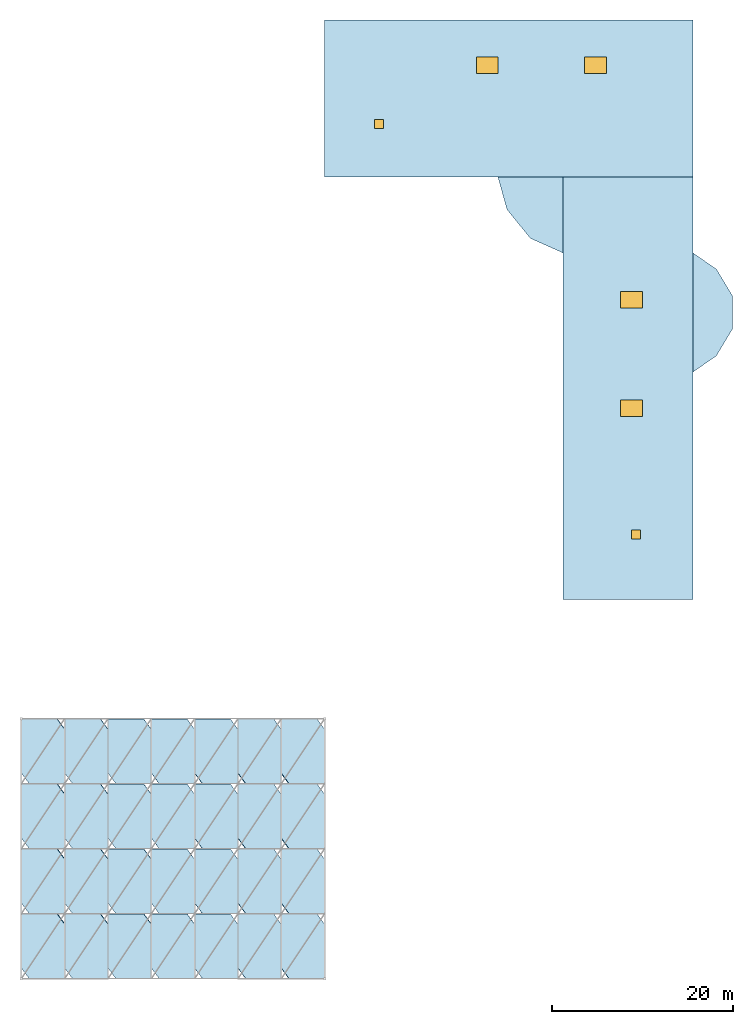
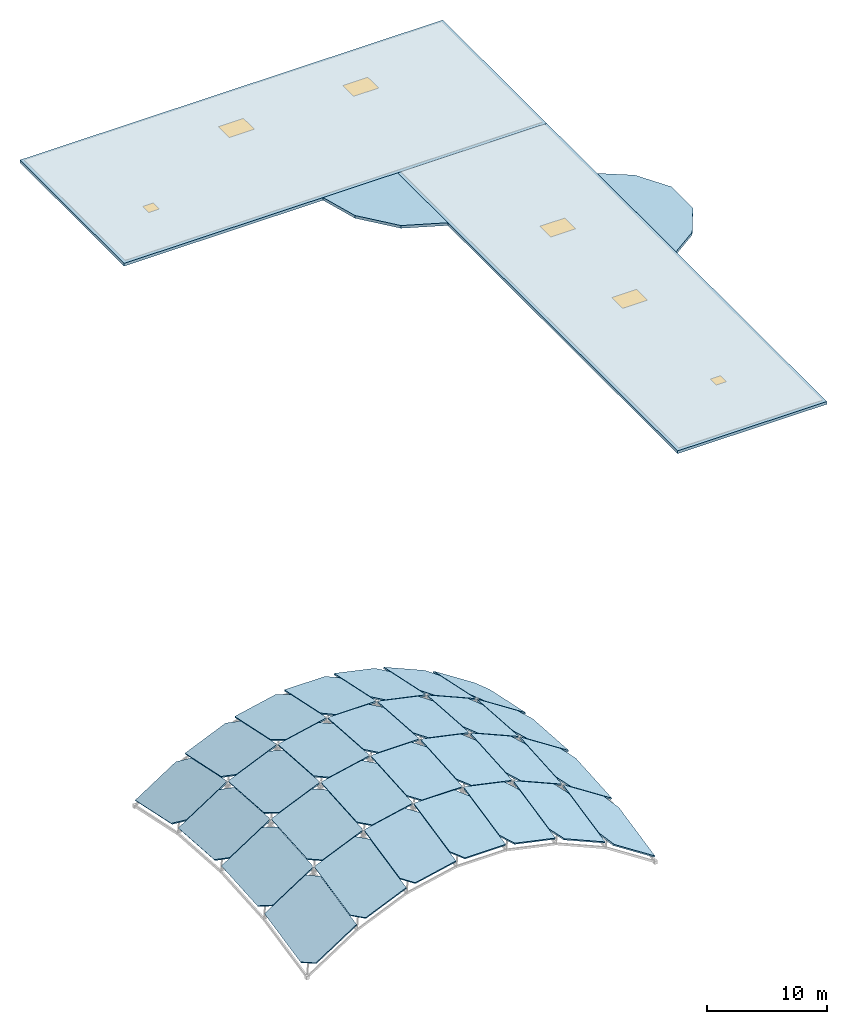
"""IFC4 building model written with IfcOpenShell, lengths in metres."""

from ifc_helpers import new_model, si_unit, direction, frame, origin, origin_2d, place, context, subcontext, project, spatial, polyline, rectangle, outline, extrude, material, layer, layer_set, type_object, element, fill, save


model = new_model("IFC4")

# Units and contexts
model_context = context("Model", 3, precision=1e-05, world=origin(), true_north=direction((0.0, 1.0)))
body_context = subcontext(model_context, "Body", "Model", "MODEL_VIEW")
ifc_project = project(units=[si_unit("LENGTHUNIT", "METRE"), si_unit("AREAUNIT", "SQUARE_METRE"), si_unit("VOLUMEUNIT", "CUBIC_METRE"), si_unit("PLANEANGLEUNIT", "RADIAN"), si_unit("MASSUNIT", "GRAM", prefix="KILO")], contexts=[model_context])

# Site, building, storey
site_placement = place(None, origin())
site = spatial("IfcSite", under=ifc_project, at=site_placement, CompositionType="ELEMENT")
building_placement = place(site_placement, origin())
building = spatial("IfcBuilding", under=site, at=building_placement, Name="Kahlenmark Community Centre", CompositionType="ELEMENT")
storey_1_placement = place(building_placement, frame((0.0, 0.0, 25.199951171875)))
storey_1 = spatial("IfcBuildingStorey", under=building, at=storey_1_placement, Name="RF", CompositionType="ELEMENT", Elevation=25.199951171875)

# Slabs
ifc_material_1 = material(Name="Cross-laminated timber CLT C24", Category="wood")
ifc_layer_1 = layer(ifc_material_1, 0.280029296875)
ifc_layer_set_1 = layer_set([ifc_layer_1], Name="Cross-laminated timber CLT C24")
slab_type_1 = type_object("IfcSlabType", Name="ST-RF-FLAT280", PredefinedType="ROOF", material=ifc_layer_set_1)
slab_1_placement = place(storey_1_placement, frame((0.0, 0.0, -0.280029296875)))
element("IfcSlab", 1, at=slab_1_placement, inside=storey_1, type_object=slab_type_1, Name="Flat roof deck ROT-EAST", PredefinedType="ROOF", context=body_context, shape_type="SweptSolid", body=[
    extrude(outline(polyline([(86.800048828125, 76.0), (89.39990234375, 77.800048828125), (91.199951171875, 80.800048828125), (91.199951171875, 84.39990234375), (89.39990234375, 87.39990234375), (86.800048828125, 89.199951171875), (86.800048828125, 76.0)])), origin(), (0.0, 0.0, 1.0), 0.280029296875),
])
slab_2_placement = place(storey_1_placement, frame((0.0, 0.0, -0.280029296875)))
element("IfcSlab", 2, at=slab_2_placement, inside=storey_1, type_object=slab_type_1, Name="Flat roof deck ROT-COURT", PredefinedType="ROOF", context=body_context, shape_type="SweptSolid", body=[
    extrude(outline(polyline([(65.199951171875, 97.60009765625), (66.199951171875, 94.0), (68.800048828125, 90.800048828125), (72.39990234375, 89.199951171875), (72.39990234375, 97.60009765625), (65.199951171875, 97.60009765625)])), origin(), (0.0, 0.0, 1.0), 0.280029296875),
])

# Slab, openings
slab_3_placement = place(storey_1_placement, frame((0.0, 0.0, -0.280029296875)))
slab_3 = element("IfcSlab", 3, at=slab_3_placement, inside=storey_1, type_object=slab_type_1, Name="Flat insulated roof deck RF-TOP-V4N", PredefinedType="ROOF", context=body_context, shape_type="SweptSolid", body=[
    extrude(outline(polyline([(46.0, 97.60009765625), (86.800048828125, 97.60009765625), (86.800048828125, 115.0), (46.0, 115.0), (46.0, 97.60009765625)])), origin(), (0.0, 0.0, 1.0), 0.280029296875),
])
opening_1_placement = place(slab_3_placement, frame((52.0, 103.5, -0.010009765625)))
opening_1 = element("IfcOpeningElement", 4, at=opening_1_placement, cuts=slab_3, Name="Opening RH-100", PredefinedType="OPENING", context=body_context, shape_type="SweptSolid", body=[
    extrude(rectangle(XDim=1.0, YDim=1.0, at=origin_2d()), origin(), (0.0, 0.0, 1.0), 0.300048828125),
])
opening_2_placement = place(slab_3_placement, frame((64.0, 110.0, -0.010009765625)))
opening_2 = element("IfcOpeningElement", 5, at=opening_2_placement, cuts=slab_3, Name="Opening SK-RF1", PredefinedType="OPENING", context=body_context, shape_type="SweptSolid", body=[
    extrude(rectangle(XDim=2.39990234375, YDim=1.800048828125, at=origin_2d()), origin(), (0.0, 0.0, 1.0), 0.300048828125),
])
opening_3_placement = place(slab_3_placement, frame((76.0, 110.0, -0.010009765625)))
opening_3 = element("IfcOpeningElement", 6, at=opening_3_placement, cuts=slab_3, Name="Opening SK-RF1", PredefinedType="OPENING", context=body_context, shape_type="SweptSolid", body=[
    extrude(rectangle(XDim=2.39990234375, YDim=1.800048828125, at=origin_2d()), origin(), (0.0, 0.0, 1.0), 0.300048828125),
])

# Storey
storey_2_placement = place(building_placement, frame((0.0, 0.0, 21.60009765625)))
storey_2 = spatial("IfcBuildingStorey", under=building, at=storey_2_placement, Name="L05", CompositionType="ELEMENT", Elevation=21.60009765625)

# Door
ifc_material_2 = material(Name="Insulated aluminium roof maintenance hatch", Category="aluminium")
door_type = type_object("IfcDoorType", Name="DT-HATCH-100X100", OperationType="NOTDEFINED", PredefinedType="TRAPDOOR", material=ifc_material_2)
door_1_placement = place(slab_3_placement, frame((52.0, 103.5, 0.22998046875)))
door_1 = element("IfcDoor", 7, at=door_1_placement, inside=storey_2, type_object=door_type, Name="Roof maintenance hatch RH-07", OperationType="SINGLE_SWING_LEFT", OverallHeight=1.0, OverallWidth=1.0, PredefinedType="TRAPDOOR", context=body_context, shape_type="SweptSolid", body=[
    extrude(rectangle(XDim=1.0, YDim=1.0, at=origin_2d()), origin(), (0.0, 0.0, 1.0), 0.050048828125),
])

fill(opening_1, door_1)

# Window
ifc_material_3 = material(Name="Laminated safety roof-light triple glazing", Category="glass")
window_type = type_object("IfcWindowType", Name="WNT-SK-ROOF", PartitioningType="DOUBLE_PANEL_VERTICAL", PredefinedType="SKYLIGHT", material=ifc_material_3)
window_1_placement = place(slab_3_placement, frame((64.0, 110.0, 0.22998046875)))
window_1 = element("IfcWindow", 8, at=window_1_placement, inside=storey_1, type_object=window_type, Name="Flat roof skylight SK-01", OverallHeight=1.800048828125, OverallWidth=2.39990234375, PartitioningType="DOUBLE_PANEL_VERTICAL", PredefinedType="SKYLIGHT", context=body_context, shape_type="SweptSolid", body=[
    extrude(rectangle(XDim=2.39990234375, YDim=1.800048828125, at=origin_2d()), origin(), (0.0, 0.0, 1.0), 0.050048828125),
])

fill(opening_2, window_1)

window_2_placement = place(slab_3_placement, frame((76.0, 110.0, 0.22998046875)))
window_2 = element("IfcWindow", 9, at=window_2_placement, inside=storey_1, type_object=window_type, Name="Flat roof skylight SK-02", OverallHeight=1.800048828125, OverallWidth=2.39990234375, PartitioningType="DOUBLE_PANEL_VERTICAL", PredefinedType="SKYLIGHT", context=body_context, shape_type="SweptSolid", body=[
    extrude(rectangle(XDim=2.39990234375, YDim=1.800048828125, at=origin_2d()), origin(), (0.0, 0.0, 1.0), 0.050048828125),
])

fill(opening_3, window_2)

# Slab, openings, door, windows
slab_4_placement = place(storey_1_placement, frame((0.0, 0.0, -0.280029296875)))
slab_4 = element("IfcSlab", 10, at=slab_4_placement, inside=storey_1, type_object=slab_type_1, Name="Flat insulated roof deck RF-TOP-V4C", PredefinedType="ROOF", context=body_context, shape_type="SweptSolid", body=[
    extrude(outline(polyline([(72.39990234375, 50.800048828125), (86.800048828125, 50.800048828125), (86.800048828125, 97.60009765625), (72.39990234375, 97.60009765625), (72.39990234375, 50.800048828125)])), origin(), (0.0, 0.0, 1.0), 0.280029296875),
])
opening_4_placement = place(slab_4_placement, frame((80.5, 58.0, -0.010009765625)))
opening_4 = element("IfcOpeningElement", 11, at=opening_4_placement, cuts=slab_4, Name="Opening RH-100", PredefinedType="OPENING", context=body_context, shape_type="SweptSolid", body=[
    extrude(rectangle(XDim=1.0, YDim=1.0, at=origin_2d()), origin(), (0.0, 0.0, 1.0), 0.300048828125),
])
opening_5_placement = place(slab_4_placement, frame((80.0, 72.0, -0.010009765625)))
opening_5 = element("IfcOpeningElement", 12, at=opening_5_placement, cuts=slab_4, Name="Opening SK-RF1", PredefinedType="OPENING", context=body_context, shape_type="SweptSolid", body=[
    extrude(rectangle(XDim=2.39990234375, YDim=1.800048828125, at=origin_2d()), origin(), (0.0, 0.0, 1.0), 0.300048828125),
])
opening_6_placement = place(slab_4_placement, frame((80.0, 84.0, -0.010009765625)))
opening_6 = element("IfcOpeningElement", 13, at=opening_6_placement, cuts=slab_4, Name="Opening SK-RF1", PredefinedType="OPENING", context=body_context, shape_type="SweptSolid", body=[
    extrude(rectangle(XDim=2.39990234375, YDim=1.800048828125, at=origin_2d()), origin(), (0.0, 0.0, 1.0), 0.300048828125),
])
door_2_placement = place(slab_4_placement, frame((80.5, 58.0, 0.22998046875)))
door_2 = element("IfcDoor", 14, at=door_2_placement, inside=storey_2, type_object=door_type, Name="Roof maintenance hatch RH-08", OperationType="SINGLE_SWING_LEFT", OverallHeight=1.0, OverallWidth=1.0, PredefinedType="TRAPDOOR", context=body_context, shape_type="SweptSolid", body=[
    extrude(rectangle(XDim=1.0, YDim=1.0, at=origin_2d()), origin(), (0.0, 0.0, 1.0), 0.050048828125),
])
fill(opening_4, door_2)
window_3_placement = place(slab_4_placement, frame((80.0, 72.0, 0.22998046875)))
window_3 = element("IfcWindow", 15, at=window_3_placement, inside=storey_1, type_object=window_type, Name="Flat roof skylight SK-03", OverallHeight=1.800048828125, OverallWidth=2.39990234375, PartitioningType="DOUBLE_PANEL_VERTICAL", PredefinedType="SKYLIGHT", context=body_context, shape_type="SweptSolid", body=[
    extrude(rectangle(XDim=2.39990234375, YDim=1.800048828125, at=origin_2d()), origin(), (0.0, 0.0, 1.0), 0.050048828125),
])
fill(opening_5, window_3)
window_4_placement = place(slab_4_placement, frame((80.0, 84.0, 0.22998046875)))
window_4 = element("IfcWindow", 16, at=window_4_placement, inside=storey_1, type_object=window_type, Name="Flat roof skylight SK-04", OverallHeight=1.800048828125, OverallWidth=2.39990234375, PartitioningType="DOUBLE_PANEL_VERTICAL", PredefinedType="SKYLIGHT", context=body_context, shape_type="SweptSolid", body=[
    extrude(rectangle(XDim=2.39990234375, YDim=1.800048828125, at=origin_2d()), origin(), (0.0, 0.0, 1.0), 0.050048828125),
])
fill(opening_6, window_4)

# Slabs
ifc_layer_2 = layer(ifc_material_1, 0.139892578125)
ifc_layer_set_2 = layer_set([ifc_layer_2], Name="Cross-laminated timber CLT C24")
slab_type_2 = type_object("IfcSlabType", Name="ST-RF-GRID140", PredefinedType="ROOF", material=ifc_layer_set_2)
slab_5_placement = place(storey_1_placement, frame((13.25, 8.820068359375, -6.08349609375), z_axis=(-0.536256870393, -0.175732947962, 0.825558295917), x_axis=(0.83860891033, -8.17567e-07, 0.544733967653)))
element("IfcSlab", 17, at=slab_5_placement, inside=storey_1, type_object=slab_type_2, Name="Main Hall gridshell roof panel 1.1", PredefinedType="ROOF", context=body_context, shape_type="SweptSolid", body=[
    extrude(outline(polyline([(0.0, 0.0), (4.6862368152726575, 1.1102230246251565e-16), (5.385502198287313, 6.125368957389673), (4.526946262654723, 7.2731031208715144), (-0.15962828281275443, 7.273090512320884), (-0.8587606741360878, 1.1477575343390296), (0.0, 0.0)])), origin(), (0.0, 0.0, -1.0), 0.139892578125),
])
slab_6_placement = place(storey_1_placement, frame((13.25, 16.02001953125, -4.5537109375), z_axis=(-0.543817248296, -0.058227630007, 0.837181189205), x_axis=(0.83860396598, 1.751648e-06, 0.544741579319)))
element("IfcSlab", 18, at=slab_6_placement, inside=storey_1, type_object=slab_type_2, Name="Main Hall gridshell roof panel 1.2", PredefinedType="ROOF", context=body_context, shape_type="SweptSolid", body=[
    extrude(outline(polyline([(0.0, 0.0), (4.6863698084288306, -1.3877787807814457e-17), (4.914863289194729, 6.040278850286845), (3.968004369781518, 7.172072175598632), (-0.7184371823940556, 7.1720918409908325), (-0.9469306631599537, 1.1318129907039867), (0.0, 0.0)])), origin(), (0.0, 0.0, -1.0), 0.139892578125),
])
slab_7_placement = place(storey_1_placement, frame((13.25, 23.219970703125, -4.0556640625), z_axis=(-0.543820346679, 0.058241023891, 0.837178244864), x_axis=(0.838601680709, -1.507308e-06, 0.544745097371)))
element("IfcSlab", 19, at=slab_7_placement, inside=storey_1, type_object=slab_type_2, Name="Main Hall gridshell roof panel 1.3", PredefinedType="ROOF", context=body_context, shape_type="SweptSolid", body=[
    extrude(outline(polyline([(0.0, 0.0), (4.686369808979881, 2.7755575615628914e-17), (4.457876326002655, 6.040278850021277), (3.4253656009060487, 7.172094291821564), (-1.2610759504037488, 7.172074621905809), (-1.032582467794517, 1.1320394980932473), (0.0, 0.0)])), origin(), (0.0, 0.0, -1.0), 0.139892578125),
])
slab_8_placement = place(storey_1_placement, frame((13.25, 30.419921875, -4.559326171875), z_axis=(-0.536269906864, 0.175739017704, 0.825548535611), x_axis=(0.838600196451, 3.673225e-06, 0.544747382278)))
element("IfcSlab", 20, at=slab_8_placement, inside=storey_1, type_object=slab_type_2, Name="Main Hall gridshell roof panel 1.4", PredefinedType="ROOF", context=body_context, shape_type="SweptSolid", body=[
    extrude(outline(polyline([(0.0, 0.0), (4.686236814299719, 1.1102230246251565e-16), (3.98710442571516, 6.125332977180815), (2.8664237120010627, 7.273353440069369), (-1.8201508336411192, 7.273366049055495), (-1.1208854500901841, 1.1479970912241415), (0.0, 0.0)])), origin(), (0.0, 0.0, -1.0), 0.139892578125),
])
slab_9_placement = place(storey_1_placement, frame((18.050048828125, 8.820068359375, -3.149658203125), z_axis=(-0.390018675958, -0.191732594801, 0.900624252669), x_axis=(0.917649109602, 1.322969e-06, 0.397391635098)))
element("IfcSlab", 21, at=slab_9_placement, inside=storey_1, type_object=slab_type_2, Name="Main Hall gridshell roof panel 2.1", PredefinedType="ROOF", context=body_context, shape_type="SweptSolid", body=[
    extrude(outline(polyline([(0.0, 0.0), (4.28262080212968, 0.0), (4.7927570065644005, 6.144011555954514), (3.9837895807256003, 7.295259982942225), (-0.2988312214040796, 7.295259982942225), (-0.8089674258387999, 1.151248426987711), (0.0, 0.0)])), origin(), (0.0, 0.0, -1.0), 0.139892578125),
])
slab_10_placement = place(storey_1_placement, frame((18.050048828125, 16.02001953125, -1.619873046875), z_axis=(-0.39661390323, -0.063717580926, 0.915771522622), x_axis=(0.917636143681, 1.689214e-06, 0.397421574412)))
element("IfcSlab", 22, at=slab_10_placement, inside=storey_1, type_object=slab_type_2, Name="Main Hall gridshell roof panel 2.2", PredefinedType="ROOF", context=body_context, shape_type="SweptSolid", body=[
    extrude(outline(polyline([(0.0, 0.0), (4.28271782754574, -2.7755575615628914e-17), (4.449419972743289, 6.042299913330377), (3.5761314274779417, 7.174492083467199), (-0.7065864000677987, 7.174492083467199), (-0.8732885452653473, 1.1321921701368216), (0.0, 0.0)])), origin(), (0.0, 0.0, -1.0), 0.139892578125),
])
slab_11_placement = place(storey_1_placement, frame((18.050048828125, 23.219970703125, -1.12158203125), z_axis=(-0.396574889026, 0.063707662539, 0.915789108435), x_axis=(0.917653282654, 2.236888e-06, 0.397381998622)))
element("IfcSlab", 23, at=slab_11_placement, inside=storey_1, type_object=slab_type_2, Name="Main Hall gridshell roof panel 2.3", PredefinedType="ROOF", context=body_context, shape_type="SweptSolid", body=[
    extrude(outline(polyline([(0.0, 0.0), (4.282523784492513, 0.0), (4.11586191321665, 6.042301025209761), (3.180091865795592, 7.174481669880268), (-1.1025289357864276, 7.174495942935139), (-0.9358670639644493, 1.1324385624039863), (0.0, 0.0)])), origin(), (0.0, 0.0, -1.0), 0.139892578125),
])
slab_12_placement = place(storey_1_placement, frame((18.050048828125, 30.419921875, -1.62548828125), z_axis=(-0.390018685811, 0.19170414834, 0.900630303858), x_axis=(0.917650043982, -1.782036e-06, 0.397389477435)))
element("IfcSlab", 24, at=slab_12_placement, inside=storey_1, type_object=slab_type_2, Name="Main Hall gridshell roof panel 2.4", PredefinedType="ROOF", context=body_context, shape_type="SweptSolid", body=[
    extrude(outline(polyline([(0.0, 0.0), (4.282620802046597, 0.0), (3.772581618113314, 6.143968605937497), (2.7723858822438725, 7.295464288018079), (-1.5102349198027245, 7.295464288018079), (-1.000098716954052, 1.151452733685775), (0.0, 0.0)])), origin(), (0.0, 0.0, -1.0), 0.139892578125),
])
slab_13_placement = place(storey_1_placement, frame((22.85009765625, 8.820068359375, -1.255126953125), z_axis=(-0.20716947234, -0.203712793537, 0.956860443053), x_axis=(0.977354457641, 1.0000124e-05, 0.21160875225)))
element("IfcSlab", 25, at=slab_13_placement, inside=storey_1, type_object=slab_type_2, Name="Main Hall gridshell roof panel 3.1", PredefinedType="ROOF", context=body_context, shape_type="SweptSolid", body=[
    extrude(outline(polyline([(0.0, 0.0), (4.021030960692013, 2.7755575615628914e-17), (4.292731598482931, 6.159163555595915), (3.4943262527562755, 7.313247310689299), (-0.5266530456427074, 7.313295918485959), (-0.798353683433625, 1.154132362890044), (0.0, 0.0)])), origin(), (0.0, 0.0, -1.0), 0.139892578125),
])
slab_14_placement = place(storey_1_placement, frame((22.85009765625, 16.02001953125, 0.27490234375), z_axis=(-0.211102600831, -0.0678313159, 0.975107483566), x_axis=(0.977358524127, 5.39583e-07, 0.211589969789)))
element("IfcSlab", 26, at=slab_14_placement, inside=storey_1, type_object=slab_type_2, Name="Main Hall gridshell roof panel 3.2", PredefinedType="ROOF", context=body_context, shape_type="SweptSolid", body=[
    extrude(outline(polyline([(0.0, 0.0), (4.0209792987286805, 0.0), (4.109730493860299, 6.043947475373727), (3.277060881473746, 7.17644126205305), (-0.7439184172549347, 7.17644126205305), (-0.8326696123865528, 1.132493786679323), (0.0, 0.0)])), origin(), (0.0, 0.0, -1.0), 0.139892578125),
])
slab_15_placement = place(storey_1_placement, frame((22.85009765625, 23.219970703125, 0.77294921875), z_axis=(-0.211157475836, 0.067819153737, 0.97509644794), x_axis=(0.977346649927, -7.59012e-07, 0.211644810651)))
element("IfcSlab", 27, at=slab_15_placement, inside=storey_1, type_object=slab_type_2, Name="Main Hall gridshell roof panel 3.3", PredefinedType="ROOF", context=body_context, shape_type="SweptSolid", body=[
    extrude(outline(polyline([(0.0, 0.0), (4.021030965285051, 0.0), (3.932255444890534, 6.043947118098149), (3.0663124927106487, 7.176434186193037), (-0.9547184725744022, 7.176434186193037), (-0.8659429523651907, 1.1327306466180187), (0.0, 0.0)])), origin(), (0.0, 0.0, -1.0), 0.139892578125),
])
slab_16_placement = place(storey_1_placement, frame((22.85009765625, 30.419921875, 0.269287109375), z_axis=(-0.207184074068, 0.203695617357, 0.956860938132), x_axis=(0.977352043842, 4.720401e-06, 0.211619900706)))
element("IfcSlab", 28, at=slab_16_placement, inside=storey_1, type_object=slab_type_2, Name="Main Hall gridshell roof panel 3.4", PredefinedType="ROOF", context=body_context, shape_type="SweptSolid", body=[
    extrude(outline(polyline([(0.0, 0.0), (4.020979297776218, -2.7755575615628914e-17), (3.7493531140071714, 6.159166840034771), (2.849164406135812, 7.313470255506795), (-1.1718665566552269, 7.313518859829533), (-0.9002403728861796, 1.1543520197947614), (0.0, 0.0)])), origin(), (0.0, 0.0, -1.0), 0.139892578125),
])
slab_17_placement = place(storey_1_placement, frame((27.64990234375, 8.820068359375, -0.399658203125), z_axis=(-9.690153e-06, -0.208211226268, 0.978083884522), x_axis=(0.999999999953, -2.017599e-06, 9.477782e-06)))
element("IfcSlab", 29, at=slab_17_placement, inside=storey_1, type_object=slab_type_2, Name="Main Hall gridshell roof panel 4.1", PredefinedType="ROOF", context=body_context, shape_type="SweptSolid", body=[
    extrude(outline(polyline([(0.0, 0.0), (3.93017578106548, 0.0), (3.9301757814345084, 6.165153440604751), (3.1000976560265197, 7.320343937593268), (-0.8298339844139717, 7.320343937593268), (-0.8298339847830001, 1.1551904969885172), (0.0, 0.0)])), origin(), (0.0, 0.0, -1.0), 0.139892578125),
])
slab_18_placement = place(storey_1_placement, frame((27.64990234375, 16.02001953125, 1.130126953125), z_axis=(3.900256e-06, -0.069392341904, 0.99758944605), x_axis=(0.999999999992, 2.70648e-07, -3.890854e-06)))
element("IfcSlab", 30, at=slab_18_placement, inside=storey_1, type_object=slab_type_2, Name="Main Hall gridshell roof panel 4.2", PredefinedType="ROOF", context=body_context, shape_type="SweptSolid", body=[
    extrude(outline(polyline([(0.0, 0.0), (3.930175781220107, 0.0), (3.9301757812798908, 6.044599065322851), (3.100097656213795, 7.1772133940451806), (-0.8298339843813135, 7.1772133940451806), (-0.8298339844410976, 1.1326143287223291), (0.0, 0.0)])), origin(), (0.0, 0.0, -1.0), 0.139892578125),
])
slab_19_placement = place(storey_1_placement, frame((27.64990234375, 23.219970703125, 1.628173828125), z_axis=(-2.070336e-06, 0.069392552971, 0.997589431373), x_axis=(0.999999999998, 1.43666e-07, 2.065345e-06)))
element("IfcSlab", 31, at=slab_19_placement, inside=storey_1, type_object=slab_type_2, Name="Main Hall gridshell roof panel 4.3", PredefinedType="ROOF", context=body_context, shape_type="SweptSolid", body=[
    extrude(outline(polyline([(0.0, 0.0), (3.930175781241577, -1.0403088672561437e-22), (3.9301757812759592, 6.044599065319474), (3.100097656239798, 7.177213394045706), (-0.8298339843767795, 7.177213394045706), (-0.829833984376087, 1.1328578808335017), (0.0, 0.0)])), origin(), (0.0, 0.0, -1.0), 0.139892578125),
])
slab_20_placement = place(storey_1_placement, frame((27.64990234375, 30.419921875, 1.12451171875), z_axis=(1.893828e-05, 0.208205460105, 0.978085111851), x_axis=(0.999999999821, -3.943053e-06, -1.852325e-05)))
element("IfcSlab", 32, at=slab_20_placement, inside=storey_1, type_object=slab_type_2, Name="Main Hall gridshell roof panel 4.4", PredefinedType="ROOF", context=body_context, shape_type="SweptSolid", body=[
    extrude(outline(polyline([(0.0, 0.0), (3.9301757805452047, 0.0), (3.930175781954752, 6.165153440273106), (3.1000976553963913, 7.320582727824026), (-0.8298339845238573, 7.320582727824026), (-0.8298339859334043, 1.1554292875509198), (0.0, 0.0)])), origin(), (0.0, 0.0, -1.0), 0.139892578125),
])
slab_21_placement = place(storey_1_placement, frame((32.449951171875, 8.820068359375, -0.583740234375), z_axis=(0.207205559072, -0.203690001271, 0.95685748138), x_axis=(0.977347020466, -2.687345e-06, -0.211643099531)))
element("IfcSlab", 33, at=slab_21_placement, inside=storey_1, type_object=slab_type_2, Name="Main Hall gridshell roof panel 5.1", PredefinedType="ROOF", context=body_context, shape_type="SweptSolid", body=[
    extrude(outline(polyline([(0.0, 0.0), (4.021030965186919, 0.0), (3.7493303323555227, 6.159163556113408), (2.849366285995405, 7.313227594517488), (-1.1716646791915148, 7.313227594517487), (-0.8999640463601177, 1.1540640384040795), (0.0, 0.0)])), origin(), (0.0, 0.0, -1.0), 0.139892578125),
])
slab_22_placement = place(storey_1_placement, frame((32.449951171875, 16.02001953125, 0.946044921875), z_axis=(0.211139328276, -0.067845281657, 0.97509856005), x_axis=(0.977350547132, 2.023773e-06, -0.211626813086)))
element("IfcSlab", 34, at=slab_22_placement, inside=storey_1, type_object=slab_type_2, Name="Main Hall gridshell roof panel 5.2", PredefinedType="ROOF", context=body_context, shape_type="SweptSolid", body=[
    extrude(outline(polyline([(0.0, 0.0), (4.020979297067001, -6.938893903907228e-18), (3.9322281057309487, 6.043947474323964), (3.0665283225461875, 7.176441531965762), (-0.9545026412232276, 7.176457720698781), (-0.8656997831847615, 1.1324940576417977), (0.0, 0.0)])), origin(), (0.0, 0.0, -1.0), 0.139892578125),
])
slab_23_placement = place(storey_1_placement, frame((32.449951171875, 23.219970703125, 1.444091796875), z_axis=(0.211162406107, 0.067830475919, 0.975094592736), x_axis=(0.977345607301, -3.610208e-06, -0.211649625268)))
element("IfcSlab", 35, at=slab_23_placement, inside=storey_1, type_object=slab_type_2, Name="Main Hall gridshell roof panel 5.3", PredefinedType="ROOF", context=body_context, shape_type="SweptSolid", body=[
    extrude(outline(polyline([(0.0, 0.0), (4.020979293160601, 1.3877787807814457e-17), (4.10978215871186, 6.043963660599308), (3.2772994873868004, 7.176437757950187), (-0.7436798057738002, 7.176437757950186), (-0.8324826722064571, 1.1327176756860924), (0.0, 0.0)])), origin(), (0.0, 0.0, -1.0), 0.139892578125),
])
slab_24_placement = place(storey_1_placement, frame((32.449951171875, 30.419921875, 0.9404296875), z_axis=(0.207184337982, 0.203684711578, 0.956863202534), x_axis=(0.977352089661, -4.675093e-06, -0.211619689095)))
element("IfcSlab", 36, at=slab_24_placement, inside=storey_1, type_object=slab_type_2, Name="Main Hall gridshell roof panel 5.4", PredefinedType="ROOF", context=body_context, shape_type="SweptSolid", body=[
    extrude(outline(polyline([(0.0, 0.0), (4.020979297796733, -2.7755575615628914e-17), (4.292605483135299, 6.159166839319385), (3.4944247968124147, 7.313469443859172), (-0.5265545009843173, 7.313469443859172), (-0.7981806863228841, 1.154302604539787), (0.0, 0.0)])), origin(), (0.0, 0.0, -1.0), 0.139892578125),
])
slab_25_placement = place(storey_1_placement, frame((37.25, 8.820068359375, -1.80712890625), z_axis=(0.389998901452, -0.191735482069, 0.900632201169), x_axis=(0.917657418626, -5.40786e-06, -0.397372447474)))
element("IfcSlab", 37, at=slab_25_placement, inside=storey_1, type_object=slab_type_2, Name="Main Hall gridshell roof panel 6.1", PredefinedType="ROOF", context=body_context, shape_type="SweptSolid", body=[
    extrude(outline(polyline([(0.0, 0.0), (4.282620800528195, 5.551115123125783e-17), (3.7724845950698778, 6.144011555830637), (2.7725128984444503, 7.295286230631121), (-1.5102349247817801, 7.295224672856037), (-1.0000987193234623, 1.1512131170253996), (0.0, 0.0)])), origin(), (0.0, 0.0, -1.0), 0.139892578125),
])
slab_26_placement = place(storey_1_placement, frame((37.25, 16.02001953125, -0.27734375), z_axis=(0.396598783041, -0.063694907405, 0.915779648202), x_axis=(0.91764301166, 5.47141e-07, -0.397405716052)))
element("IfcSlab", 38, at=slab_26_placement, inside=storey_1, type_object=slab_type_2, Name="Main Hall gridshell roof panel 6.2", PredefinedType="ROOF", context=body_context, shape_type="SweptSolid", body=[
    extrude(outline(polyline([(0.0, 0.0), (4.282620802073627, 1.3877787807814457e-17), (4.1159387936900105, 6.042300469863358), (3.1803890087628934, 7.1744841764964455), (-1.102455827249126, 7.1744779967554235), (-0.9358708417454062, 1.1321917967660045), (0.0, 0.0)])), origin(), (0.0, 0.0, -1.0), 0.139892578125),
])
slab_27_placement = place(storey_1_placement, frame((37.25, 23.219970703125, 0.220703125), z_axis=(0.396588206056, 0.063676884344, 0.915785482096), x_axis=(0.917647780422, 2.18684e-07, -0.397394704402)))
element("IfcSlab", 39, at=slab_27_placement, inside=storey_1, type_object=slab_type_2, Name="Main Hall gridshell roof panel 6.3", PredefinedType="ROOF", context=body_context, shape_type="SweptSolid", body=[
    extrude(outline(polyline([(0.0, 0.0), (4.282620802206376, 0.0), (4.4492057896919395, 6.042286202535765), (3.5761375026691145, 7.1744692792131755), (-0.7067073346399031, 7.174475457205583), (-0.8733893422635814, 1.1324186339918503), (0.0, 0.0)])), origin(), (0.0, 0.0, -1.0), 0.139892578125),
])
slab_28_placement = place(storey_1_placement, frame((37.25, 30.419921875, -0.282958984375), z_axis=(0.390025446594, 0.191720146926, 0.900623970518), x_axis=(0.917646642647, 1.1022e-07, -0.397397331696)))
element("IfcSlab", 40, at=slab_28_placement, inside=storey_1, type_object=slab_type_2, Name="Main Hall gridshell roof panel 6.4", PredefinedType="ROOF", context=body_context, shape_type="SweptSolid", body=[
    extrude(outline(polyline([(0.0, 0.0), (4.282620802230922, -5.551115123125783e-17), (4.792757006423727, 6.144011555879782), (3.984013615631401, 7.295480993183925), (-0.2988312214243863, 7.295499594056506), (-0.8089674256171911, 1.1514880381767234), (0.0, 0.0)])), origin(), (0.0, 0.0, -1.0), 0.139892578125),
])
slab_29_placement = place(storey_1_placement, frame((42.050048828125, 8.820068359375, -4.06982421875), z_axis=(0.536277464445, -0.175733890356, 0.825544717692), x_axis=(0.838594947323, -2.405642e-06, -0.544755462862)))
element("IfcSlab", 41, at=slab_29_placement, inside=storey_1, type_object=slab_type_2, Name="Main Hall gridshell roof panel 7.1", PredefinedType="ROOF", context=body_context, shape_type="SweptSolid", body=[
    extrude(outline(polyline([(0.0, 0.0), (4.6863698101102536, 0.0), (3.9870573978326407, 6.125363588683522), (2.8661631345041725, 7.27311173291657), (-1.8200736786669058, 7.273075754336873), (-1.1208942633284686, 1.147748144233048), (0.0, 0.0)])), origin(), (0.0, 0.0, -1.0), 0.139892578125),
])
slab_30_placement = place(storey_1_placement, frame((42.050048828125, 16.02001953125, -2.5400390625), z_axis=(0.543823329262, -0.058231224422, 0.837176989085), x_axis=(0.8386000292, 1.218129e-06, -0.54474763976)))
element("IfcSlab", 42, at=slab_30_placement, inside=storey_1, type_object=slab_type_2, Name="Main Hall gridshell roof panel 7.2", PredefinedType="ROOF", context=body_context, shape_type="SweptSolid", body=[
    extrude(outline(polyline([(0.0, 0.0), (4.686236814298029, -1.3877787807814457e-17), (4.457758699419838, 6.040279431594305), (3.4251791119265627, 7.172077831712165), (-1.2611906974007052, 7.17208975392138), (-1.0327125825225134, 1.1318103223270752), (0.0, 0.0)])), origin(), (0.0, 0.0, -1.0), 0.139892578125),
])
slab_31_placement = place(storey_1_placement, frame((42.050048828125, 23.219970703125, -2.0419921875), z_axis=(0.543819615844, 0.0582371888, 0.837178986396), x_axis=(0.838602314401, -9.73535e-07, -0.544744121841)))
element("IfcSlab", 43, at=slab_31_placement, inside=storey_1, type_object=slab_type_2, Name="Main Hall gridshell roof panel 7.3", PredefinedType="ROOF", context=body_context, shape_type="SweptSolid", body=[
    extrude(outline(polyline([(0.0, 0.0), (4.686236814668591, -1.3877787807814457e-17), (4.914714928924, 6.040279431539934), (3.967781386864922, 7.172090014555602), (-0.7185884219740406, 7.172078091125245), (-0.9470665364671295, 1.13204238584865), (0.0, 0.0)])), origin(), (0.0, 0.0, -1.0), 0.139892578125),
])
slab_32_placement = place(storey_1_placement, frame((42.050048828125, 30.419921875, -2.545654296875), z_axis=(0.536263614807, 0.175736183223, 0.825553226231), x_axis=(0.838603661341, 5.261264e-06, -0.544742048274)))
element("IfcSlab", 44, at=slab_32_placement, inside=storey_1, type_object=slab_type_2, Name="Main Hall gridshell roof panel 7.4", PredefinedType="ROOF", context=body_context, shape_type="SweptSolid", body=[
    extrude(outline(polyline([(0.0, 0.0), (4.68636980844913, 0.0), (5.385549226354994, 6.125327609744895), (4.526797366197204, 7.273332078648007), (-0.1594394485877968, 7.273368057697142), (-0.8587518601577898, 1.1480044689031117), (0.0, 0.0)])), origin(), (0.0, 0.0, -1.0), 0.139892578125),
])

save(model, "model.ifc")
